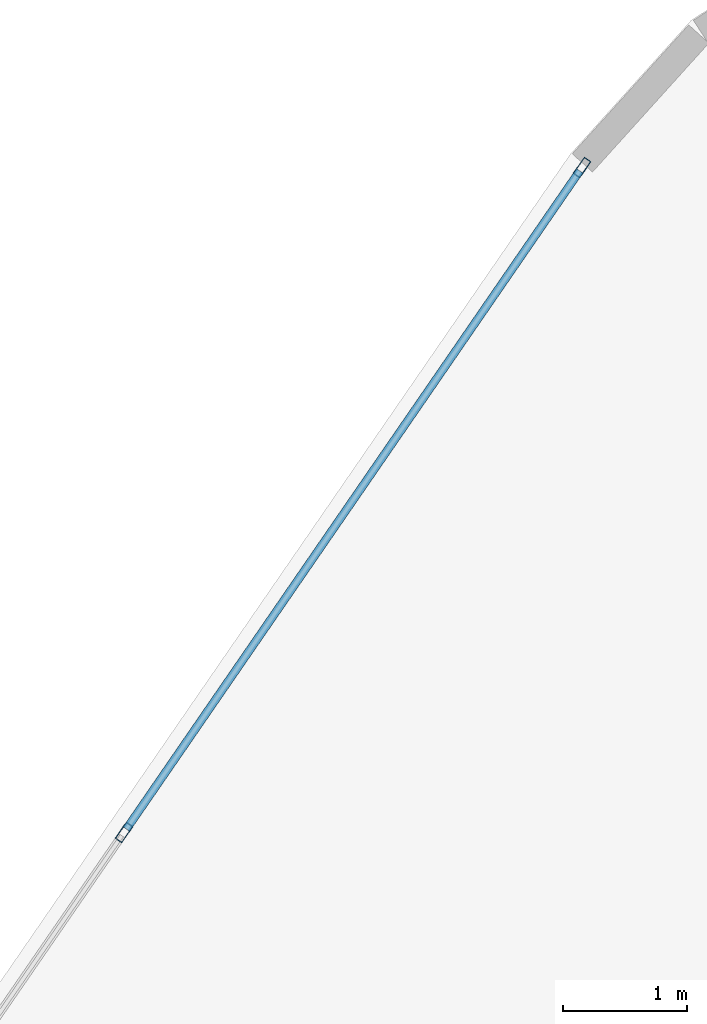
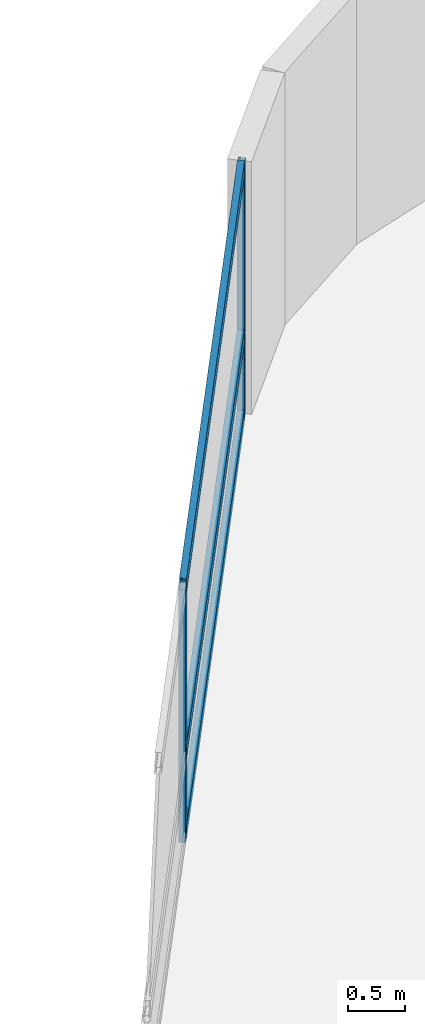
# One storey, part 17 of 27: 5 members, 1 element without a shape of its own.
"""IFC4 building model written with IfcOpenShell, lengths in metres."""

from ifc_helpers import new_model, si_unit, direction, frame, origin, origin_2d, place, context, subcontext, project, spatial, hollow_rectangle, extrude, material, layer, layer_set, material_profile, profile_set, type_object, element, aggregate, save


model = new_model("IFC4")

# Units and contexts
model_context = context("Model", 3, precision=1e-05, world=origin(), true_north=direction((0.0, 1.0)))
body_context = subcontext(model_context, "Body", "Model", "MODEL_VIEW")
ifc_project = project(units=[si_unit("LENGTHUNIT", "METRE"), si_unit("AREAUNIT", "SQUARE_METRE"), si_unit("VOLUMEUNIT", "CUBIC_METRE"), si_unit("PLANEANGLEUNIT", "RADIAN"), si_unit("MASSUNIT", "GRAM", prefix="KILO")], contexts=[model_context])

# Site, building, storey
site_placement = place(None, origin())
site = spatial("IfcSite", under=ifc_project, at=site_placement, CompositionType="ELEMENT")
building_placement = place(site_placement, origin())
building = spatial("IfcBuilding", under=site, at=building_placement, Name="Varnelok Gate Tower", CompositionType="ELEMENT")
storey_placement = place(building_placement, frame((0.0, 0.0, 60.300048828125)))
storey = spatial("IfcBuildingStorey", under=building, at=storey_placement, Name="L14", CompositionType="ELEMENT", Elevation=60.300048828125)

# Curtain wall, members
ifc_material = material(Name="Anodized Aluminum Alloy 6063-T6", Category="aluminium")
ifc_layer = layer(ifc_material, 0.179931640625)
ifc_layer_set = layer_set([ifc_layer], Name="Anodized Aluminum Alloy 6063-T6")
curtain_wall_type = type_object("IfcCurtainWallType", Name="CW3-HOTEL-VISION", PredefinedType="USERDEFINED", material=ifc_layer_set)
curtain_wall_placement = place(storey_placement, origin())
curtain_wall = element("IfcCurtainWall", 1, at=curtain_wall_placement, inside=storey, type_object=curtain_wall_type, Name="L14 West End Vision Curtain Wall", ObjectType="UNITISED CURTAIN WALL", PredefinedType="USERDEFINED")
ifc_material_profile_1 = material_profile(ifc_material, hollow_rectangle(XDim=0.06494140625, YDim=0.159912109375, WallThickness=0.00390625, at=origin_2d()), Name="ALU160X65X4")
ifc_profile_set_1 = profile_set([ifc_material_profile_1], Name="Anodized Aluminum Alloy 6063-T6")
member_type_1 = type_object("IfcMemberType", Name="CW-MULL-160", PredefinedType="MULLION", material=ifc_profile_set_1)
member_1_placement = place(storey_placement, frame((14.48291015625, 58.273193359375, 0.0), z_axis=(0.0, 0.0, 1.0), x_axis=(-0.823532685111, 0.567268822124, 0.0)))
member_1 = element("IfcMember", 2, at=member_1_placement, type_object=member_type_1, Name="CW3 mullion 6", PredefinedType="MULLION", context=body_context, shape_type="SweptSolid", body=[
    extrude(hollow_rectangle(XDim=0.06494140625, YDim=0.159912109375, WallThickness=0.00390625, at=origin_2d()), origin(), (0.0, 0.0, 1.0), 2.72998046875),
])
member_2_placement = place(storey_placement, frame((18.189453125, 63.654296875, 0.0), z_axis=(0.0, 0.0, 1.0), x_axis=(-0.823532685111, 0.567268822124, 0.0)))
member_2 = element("IfcMember", 3, at=member_2_placement, type_object=member_type_1, Name="CW3 mullion 7", PredefinedType="MULLION", context=body_context, shape_type="SweptSolid", body=[
    extrude(hollow_rectangle(XDim=0.06494140625, YDim=0.159912109375, WallThickness=0.00390625, at=origin_2d()), origin(), (0.0, 0.0, 1.0), 2.72998046875),
])
ifc_material_profile_2 = material_profile(ifc_material, hollow_rectangle(XDim=0.06494140625, YDim=0.159912109375, WallThickness=0.00390625, at=origin_2d()), Name="ALU160X65X4")
ifc_profile_set_2 = profile_set([ifc_material_profile_2], Name="Anodized Aluminum Alloy 6063-T6")
member_type_2 = type_object("IfcMemberType", Name="CW-TRAN-160", PredefinedType="USERDEFINED", material=ifc_profile_set_2)
member_3_placement = place(storey_placement, frame((14.50146484375, 58.300048828125, 0.032470703125), z_axis=(0.567255754851, 0.823541686006, 0.0), x_axis=(-0.823541686006, 0.567255754851, 0.0)))
member_3 = element("IfcMember", 4, at=member_3_placement, type_object=member_type_2, Name="CW3 transom 6.1", ObjectType="TRANSOM", PredefinedType="USERDEFINED", context=body_context, shape_type="SweptSolid", body=[
    extrude(hollow_rectangle(XDim=0.06494140625, YDim=0.159912109375, WallThickness=0.00390625, at=origin_2d()), origin(), (0.0, 0.0, 1.0), 6.46923828125),
])
member_4_placement = place(storey_placement, frame((14.50146484375, 58.300048828125, 0.89990234375), z_axis=(0.567255754851, 0.823541686006, 0.0), x_axis=(-0.823541686006, 0.567255754851, 0.0)))
member_4 = element("IfcMember", 5, at=member_4_placement, type_object=member_type_2, Name="CW3 transom 6.2", ObjectType="TRANSOM", PredefinedType="USERDEFINED", context=body_context, shape_type="SweptSolid", body=[
    extrude(hollow_rectangle(XDim=0.06494140625, YDim=0.159912109375, WallThickness=0.00390625, at=origin_2d()), origin(), (0.0, 0.0, 1.0), 6.46923828125),
])
member_5_placement = place(storey_placement, frame((14.50146484375, 58.300048828125, 2.697509765625), z_axis=(0.567255754851, 0.823541686006, 0.0), x_axis=(-0.823541686006, 0.567255754851, 0.0)))
member_5 = element("IfcMember", 6, at=member_5_placement, type_object=member_type_2, Name="CW3 transom 6.3", ObjectType="TRANSOM", PredefinedType="USERDEFINED", context=body_context, shape_type="SweptSolid", body=[
    extrude(hollow_rectangle(XDim=0.06494140625, YDim=0.159912109375, WallThickness=0.00390625, at=origin_2d()), origin(), (0.0, 0.0, 1.0), 6.46923828125),
])
aggregate(curtain_wall, [member_1, member_2, member_3, member_4, member_5])

save(model, "model.ifc")
